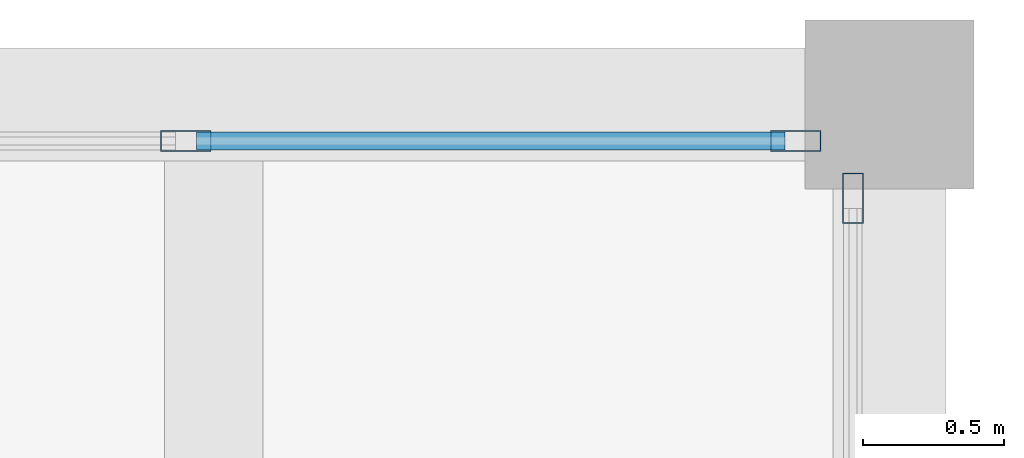
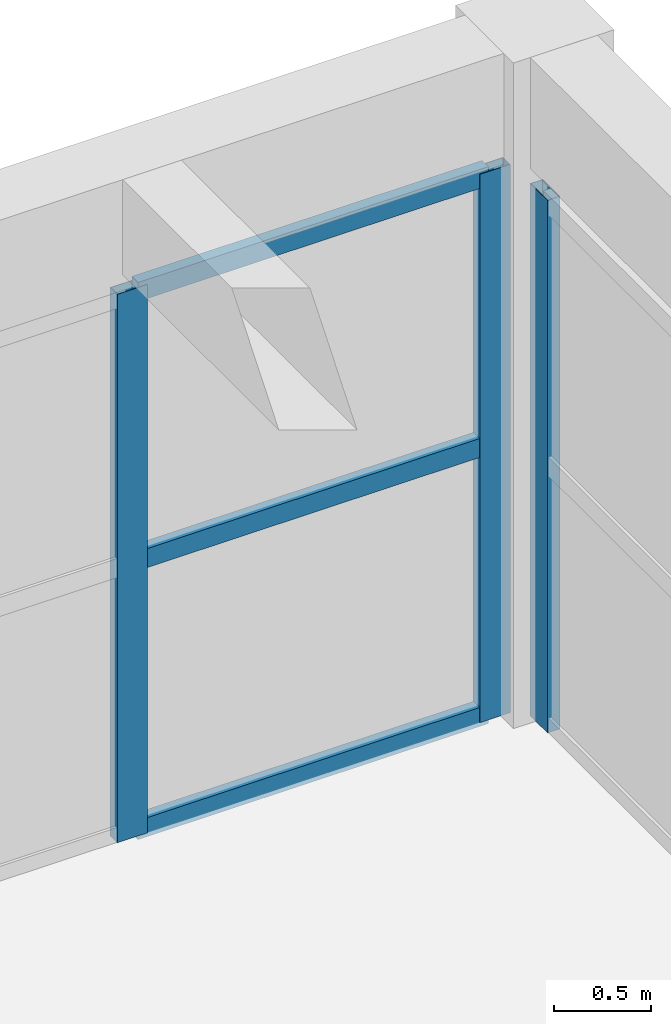
# One storey, part 92 of 153: 6 members, 2 elements without a shape of their own.
"""IFC4 building model written with IfcOpenShell, lengths in metres."""

import ifcopenshell
import ifcopenshell.guid

model = None  # the IFC model being written
_history = None  # IfcOwnerHistory: only IFC2X3 demands one
_inside = {}  # id of a spatial element -> (the spatial element, [elements in it])
_under = {}  # id of a project, library or spatial element -> (it, [spatial elements below it])
_declared = {}  # id of a project -> (the project, [libraries it declares])
_typed = {}  # id of a type object -> (the type object, [elements of that type])
_made_of = {}  # id of a material, layer set ... -> (it, [elements and type objects made of it])


def new_model(schema):
    """Start an empty IFC model of exactly this schema.

    Asked for "IFC4X3", IfcOpenShell would pick the latest addendum, in which some entities
    have other attributes; the version numbers below select the first issue.
    IFC2X3 requires an IfcOwnerHistory on every rooted entity: one is made here for all.
    """
    global model, _history
    if schema == "IFC4X3":
        model = ifcopenshell.file(schema_version=(4, 3, 0, 0))
    else:
        model = ifcopenshell.file(schema=schema)
    _inside.clear()
    _under.clear()
    _declared.clear()
    _typed.clear()
    _made_of.clear()
    _history = None
    if model.schema == "IFC2X3":
        org = make("IfcOrganization", Name="unknown")
        user = make(
            "IfcPersonAndOrganization",
            ThePerson=make("IfcPerson", FamilyName="unknown"),
            TheOrganization=org,
        )
        app = make(
            "IfcApplication",
            ApplicationDeveloper=org,
            Version="unknown",
            ApplicationFullName="unknown",
            ApplicationIdentifier="unknown",
        )
        _history = make(
            "IfcOwnerHistory",
            OwningUser=user,
            OwningApplication=app,
            ChangeAction="ADDED",
            CreationDate=0,
        )
    return model


def make(cls, **values):
    """One entity of the class cls with the attributes given. An attribute that is None is left unset."""
    return model.create_entity(
        cls, **{name: value for name, value in values.items() if value is not None}
    )


def rooted(cls, **values):
    """An entity with a GlobalId (a new one), such as an element, a storey or a relation."""
    return make(cls, GlobalId=ifcopenshell.guid.new(), OwnerHistory=_history, **values)


def si_unit(unit_type, name, prefix=None):
    """IfcSIUnit, for example si_unit("LENGTHUNIT", "METRE", prefix="MILLI")."""
    return make("IfcSIUnit", UnitType=unit_type, Prefix=prefix, Name=name)


def assignment(units):
    """IfcUnitAssignment: the units of a project."""
    return None if units is None else make("IfcUnitAssignment", Units=units)


def point(xyz):
    """IfcCartesianPoint."""
    return None if xyz is None else make("IfcCartesianPoint", Coordinates=xyz)


def direction(xyz):
    """IfcDirection."""
    return None if xyz is None else make("IfcDirection", DirectionRatios=xyz)


def frame(location, z_axis=None, x_axis=None):
    """IfcAxis2Placement3D, a coordinate frame: its origin and axes. An axis left out is left unset."""
    return make(
        "IfcAxis2Placement3D",
        Location=point(location),
        Axis=direction(z_axis),
        RefDirection=direction(x_axis),
    )


def frame_2d(location, x_axis=None):
    """IfcAxis2Placement2D, a coordinate frame in the plane: its origin and x axis."""
    return make(
        "IfcAxis2Placement2D", Location=point(location), RefDirection=direction(x_axis)
    )


def origin():
    """The frame at (0, 0, 0) with its axes left unset."""
    return frame((0.0, 0.0, 0.0))


def origin_2d():
    """The frame at (0, 0) in the plane with its x axis left unset."""
    return frame_2d((0.0, 0.0))


def place(relative_to, where):
    """IfcLocalPlacement: puts the frame where relative to a parent placement (None: the world)."""
    return make(
        "IfcLocalPlacement", PlacementRelTo=relative_to, RelativePlacement=where
    )


def context(
    kind, dimensions, precision=None, world=None, true_north=None, identifier=None
):
    """IfcGeometricRepresentationContext, for example the 3D "Model" context."""
    return make(
        "IfcGeometricRepresentationContext",
        ContextIdentifier=identifier,
        ContextType=kind,
        CoordinateSpaceDimension=dimensions,
        Precision=precision,
        WorldCoordinateSystem=world,
        TrueNorth=true_north,
    )


def subcontext(parent, identifier, kind, view, scale=None):
    """IfcGeometricRepresentationSubContext, for example "Body" below "Model"."""
    return make(
        "IfcGeometricRepresentationSubContext",
        ContextIdentifier=identifier,
        ContextType=kind,
        ParentContext=parent,
        TargetScale=scale,
        TargetView=view,
    )


def project(units=None, contexts=None):
    """IfcProject with its units and contexts."""
    return rooted(
        "IfcProject",
        Name="project",
        RepresentationContexts=contexts,
        UnitsInContext=assignment(units),
    )


def spatial(cls, under=None, at=None, **own):
    """A site, building, storey or space (cls), placed at a placement, below another one or the project."""
    s = rooted(cls, ObjectPlacement=at, **own)
    if under is not None:
        _under.setdefault(under.id(), (under, []))[1].append(s)
    return s


def profile(cls, at=None, kind="AREA", **sizes):
    """A parametric profile (cls). Its sizes go by their IFC names, for example OverallWidth=200.0."""
    return make(cls, ProfileType=kind, Position=at, **sizes)


def hollow_rectangle(**sizes):
    """IfcRectangleHollowProfileDef."""
    return profile("IfcRectangleHollowProfileDef", **sizes)


def extrude(swept, where, along, depth):
    """IfcExtrudedAreaSolid: the profile swept, set in the frame where, extruded along a direction by depth."""
    return make(
        "IfcExtrudedAreaSolid",
        SweptArea=swept,
        Position=where,
        ExtrudedDirection=direction(along),
        Depth=depth,
    )


def shape(context_of_items, identifier, shape_type, items):
    """IfcShapeRepresentation: the items that make up one representation, for example the "Body"."""
    return make(
        "IfcShapeRepresentation",
        ContextOfItems=context_of_items,
        RepresentationIdentifier=identifier,
        RepresentationType=shape_type,
        Items=items,
    )


def material(Name=None, Category=None):
    """IfcMaterial."""
    return make("IfcMaterial", Name=Name, Category=Category)


def material_profile(
    of_material, cross_section, Name=None, Category=None, Priority=None
):
    """IfcMaterialProfile: a cross section and its material."""
    return make(
        "IfcMaterialProfile",
        Name=Name,
        Material=of_material,
        Profile=cross_section,
        Priority=Priority,
        Category=Category,
    )


def profile_set(profiles, Name=None, composite=None):
    """IfcMaterialProfileSet."""
    return make(
        "IfcMaterialProfileSet",
        Name=Name,
        MaterialProfiles=profiles,
        CompositeProfile=composite,
    )


def made_of(thing, what):
    """Note that an element or type object is made of a material, layer set ...; save() writes the relation."""
    if what is not None:
        _made_of.setdefault(what.id(), (what, []))[1].append(thing)
    return thing


def type_object(cls, material=None, **own):
    """A type object (cls), such as IfcWallType, which elements share."""
    return made_of(rooted(cls, **own), material)


def element(
    cls,
    number,
    at=None,
    inside=None,
    cuts=None,
    type_object=None,
    material=None,
    context=None,
    identifier="Body",
    shape_type=None,
    held_by="IfcProductDefinitionShape",
    body=None,
    shapes=None,
    **own,
):
    """One element of the class cls, such as IfcWall. Its Tag is "e" and its number.

    at: its placement. inside: the storey or other place that contains it. cuts: it is an
    opening in that element (IfcRelVoidsElement). A single representation is given by context,
    identifier, shape_type and body (its items); several are given by shapes. held_by: the class
    of the entity that holds the representations. save() writes the other relations.
    """
    e = rooted(cls, Tag="e%d" % number, ObjectPlacement=at, **own)
    if body is not None:
        shapes = [shape(context, identifier, shape_type, body)]
    if shapes is not None:
        e.Representation = make(held_by, Representations=shapes)
    if inside is not None:
        _inside.setdefault(inside.id(), (inside, []))[1].append(e)
    if cuts is not None:
        rooted(
            "IfcRelVoidsElement", RelatingBuildingElement=cuts, RelatedOpeningElement=e
        )
    if type_object is not None:
        _typed.setdefault(type_object.id(), (type_object, []))[1].append(e)
    return made_of(e, material)


def aggregate(whole, parts):
    """IfcRelAggregates: a whole, such as a stair, and the parts it consists of."""
    return rooted("IfcRelAggregates", RelatingObject=whole, RelatedObjects=parts)


def save(model, path):
    """Write the relations noted so far, then the file.

    IfcRelAggregates (storeys below a building ...), IfcRelContainedInSpatialStructure (elements
    in a storey), IfcRelDefinesByType, IfcRelAssociatesMaterial and IfcRelDeclares: one each for
    every whole, place, type object, material and project.
    """
    for whole, parts in _under.values():
        aggregate(whole, parts)
    for where, things in _inside.values():
        rooted(
            "IfcRelContainedInSpatialStructure",
            RelatedElements=things,
            RelatingStructure=where,
        )
    for kind, things in _typed.values():
        rooted("IfcRelDefinesByType", RelatedObjects=things, RelatingType=kind)
    for what, things in _made_of.values():
        rooted("IfcRelAssociatesMaterial", RelatedObjects=things, RelatingMaterial=what)
    for by, libraries in _declared.values():
        rooted("IfcRelDeclares", RelatingContext=by, RelatedDefinitions=libraries)
    model.write(path)


model = new_model("IFC4")

# Units and contexts
model_context = context("Model", 3, precision=1e-05, world=origin(), true_north=direction((0.0, 1.0)))
body_context = subcontext(model_context, "Body", "Model", "MODEL_VIEW")
ifc_project = project(units=[si_unit("LENGTHUNIT", "METRE"), si_unit("AREAUNIT", "SQUARE_METRE"), si_unit("VOLUMEUNIT", "CUBIC_METRE"), si_unit("PLANEANGLEUNIT", "RADIAN"), si_unit("MASSUNIT", "GRAM", prefix="KILO")], contexts=[model_context])

# Site, building, storey
site_placement = place(None, origin())
site = spatial("IfcSite", under=ifc_project, at=site_placement, CompositionType="ELEMENT")
building_placement = place(site_placement, origin())
building = spatial("IfcBuilding", under=site, at=building_placement, Name="Bramvelor Terrace Health Centre", CompositionType="ELEMENT")
storey_placement = place(building_placement, frame((0.0, 0.0, 4.800048828125)))
storey = spatial("IfcBuildingStorey", under=building, at=storey_placement, Name="L02", CompositionType="ELEMENT", Elevation=4.800048828125)

# Curtain wall, members
ifc_material_1 = material(Name="Anodized aluminium and double low-E glass", Category="aluminium")
curtain_wall_type_1 = type_object("IfcCurtainWallType", Name="CW-SYS-13", PredefinedType="NOTDEFINED", material=ifc_material_1)
curtain_wall_1_placement = place(storey_placement, origin())
curtain_wall_1 = element("IfcCurtainWall", 1, at=curtain_wall_1_placement, inside=storey, type_object=curtain_wall_type_1, Name="L02 Unitized Curtain Wall 82", PredefinedType="NOTDEFINED")
ifc_material_2 = material(Name="Anodized aluminium 6063-T6", Category="aluminium")
ifc_material_profile_1 = material_profile(ifc_material_2, hollow_rectangle(XDim=0.074951171875, YDim=0.179931640625, WallThickness=0.00341796875, at=origin_2d()), Name="ALU-MUL 75x180x3.5")
ifc_profile_set_1 = profile_set([ifc_material_profile_1], Name="Anodized aluminium 6063-T6")
member_type_1 = type_object("IfcMemberType", Name="CW-MUL-65x180", PredefinedType="MULLION", material=ifc_profile_set_1)
member_1_placement = place(storey_placement, frame((33.501708984375, 115.070068359375, 0.0), z_axis=(0.0, 0.0, 1.0), x_axis=(0.0, 1.0, 0.0)))
member_1 = element("IfcMember", 2, at=member_1_placement, type_object=member_type_1, Name="CW-13 mullion 3", PredefinedType="MULLION", context=body_context, shape_type="SweptSolid", body=[
    extrude(hollow_rectangle(XDim=0.074951171875, YDim=0.179931640625, WallThickness=0.00341796875, at=origin_2d()), origin(), (0.0, 0.0, 1.0), 3.4599609375),
])
member_2_placement = place(storey_placement, frame((35.66748046875, 115.070068359375, 0.0), z_axis=(0.0, 0.0, 1.0), x_axis=(0.0, 1.0, 0.0)))
member_2 = element("IfcMember", 3, at=member_2_placement, type_object=member_type_1, Name="CW-13 mullion 4", PredefinedType="MULLION", context=body_context, shape_type="SweptSolid", body=[
    extrude(hollow_rectangle(XDim=0.074951171875, YDim=0.179931640625, WallThickness=0.00341796875, at=origin_2d()), origin(), (0.0, 0.0, 1.0), 3.4599609375),
])

# Curtain wall, member
ifc_material_3 = material(Name="Anodized aluminium and double low-E glass", Category="aluminium")
curtain_wall_type_2 = type_object("IfcCurtainWallType", Name="CW-SYS-12", PredefinedType="NOTDEFINED", material=ifc_material_3)
curtain_wall_2_placement = place(storey_placement, origin())
curtain_wall_2 = element("IfcCurtainWall", 4, at=curtain_wall_2_placement, inside=storey, type_object=curtain_wall_type_2, Name="L02 Unitized Curtain Wall 83", PredefinedType="NOTDEFINED")
member_3_placement = place(storey_placement, frame((35.8701171875, 114.867431640625, 0.0), z_axis=(0.0, 0.0, 1.0), x_axis=(1.0, 0.0, 0.0)))
member_3 = element("IfcMember", 5, at=member_3_placement, type_object=member_type_1, Name="CW-12 mullion 1", PredefinedType="MULLION", context=body_context, shape_type="SweptSolid", body=[
    extrude(hollow_rectangle(XDim=0.074951171875, YDim=0.179931640625, WallThickness=0.00341796875, at=origin_2d()), origin(), (0.0, 0.0, 1.0), 3.35986328125),
])
aggregate(curtain_wall_2, [member_3])

# Member
ifc_material_4 = material(Name="Anodized aluminium 6063-T6", Category="aluminium")
ifc_material_profile_2 = material_profile(ifc_material_4, hollow_rectangle(XDim=0.06494140625, YDim=0.1201171875, WallThickness=0.0029296875, at=origin_2d()), Name="ALU-TRN 65x120x3.0")
ifc_profile_set_2 = profile_set([ifc_material_profile_2], Name="Anodized aluminium 6063-T6")
member_type_2 = type_object("IfcMemberType", Name="CW-TRN-65x150", PredefinedType="USERDEFINED", material=ifc_profile_set_2)
member_4_placement = place(storey_placement, frame((33.5390625, 115.070068359375, 0.032470703125), z_axis=(1.0, 0.0, 0.0), x_axis=(0.0, 1.0, 0.0)))
member_4 = element("IfcMember", 6, at=member_4_placement, type_object=member_type_2, Name="CW-13 transom 3.1", ObjectType="TRANSOM", PredefinedType="USERDEFINED", context=body_context, shape_type="SweptSolid", body=[
    extrude(hollow_rectangle(XDim=0.06494140625, YDim=0.1201171875, WallThickness=0.0029296875, at=origin_2d()), origin(), (0.0, 0.0, 1.0), 2.0908203125),
])

member_5_placement = place(storey_placement, frame((33.5390625, 115.070068359375, 1.72998046875), z_axis=(1.0, 0.0, 0.0), x_axis=(0.0, 1.0, 0.0)))
member_5 = element("IfcMember", 7, at=member_5_placement, type_object=member_type_2, Name="CW-13 transom 3.2", ObjectType="TRANSOM", PredefinedType="USERDEFINED", context=body_context, shape_type="SweptSolid", body=[
    extrude(hollow_rectangle(XDim=0.06494140625, YDim=0.1201171875, WallThickness=0.0029296875, at=origin_2d()), origin(), (0.0, 0.0, 1.0), 2.0908203125),
])

member_6_placement = place(storey_placement, frame((33.5390625, 115.070068359375, 3.427490234375), z_axis=(1.0, 0.0, 0.0), x_axis=(0.0, 1.0, 0.0)))
member_6 = element("IfcMember", 8, at=member_6_placement, type_object=member_type_2, Name="CW-13 transom 3.3", ObjectType="TRANSOM", PredefinedType="USERDEFINED", context=body_context, shape_type="SweptSolid", body=[
    extrude(hollow_rectangle(XDim=0.06494140625, YDim=0.1201171875, WallThickness=0.0029296875, at=origin_2d()), origin(), (0.0, 0.0, 1.0), 2.0908203125),
])

aggregate(curtain_wall_1, [member_1, member_2, member_4, member_5, member_6])

save(model, "model.ifc")
